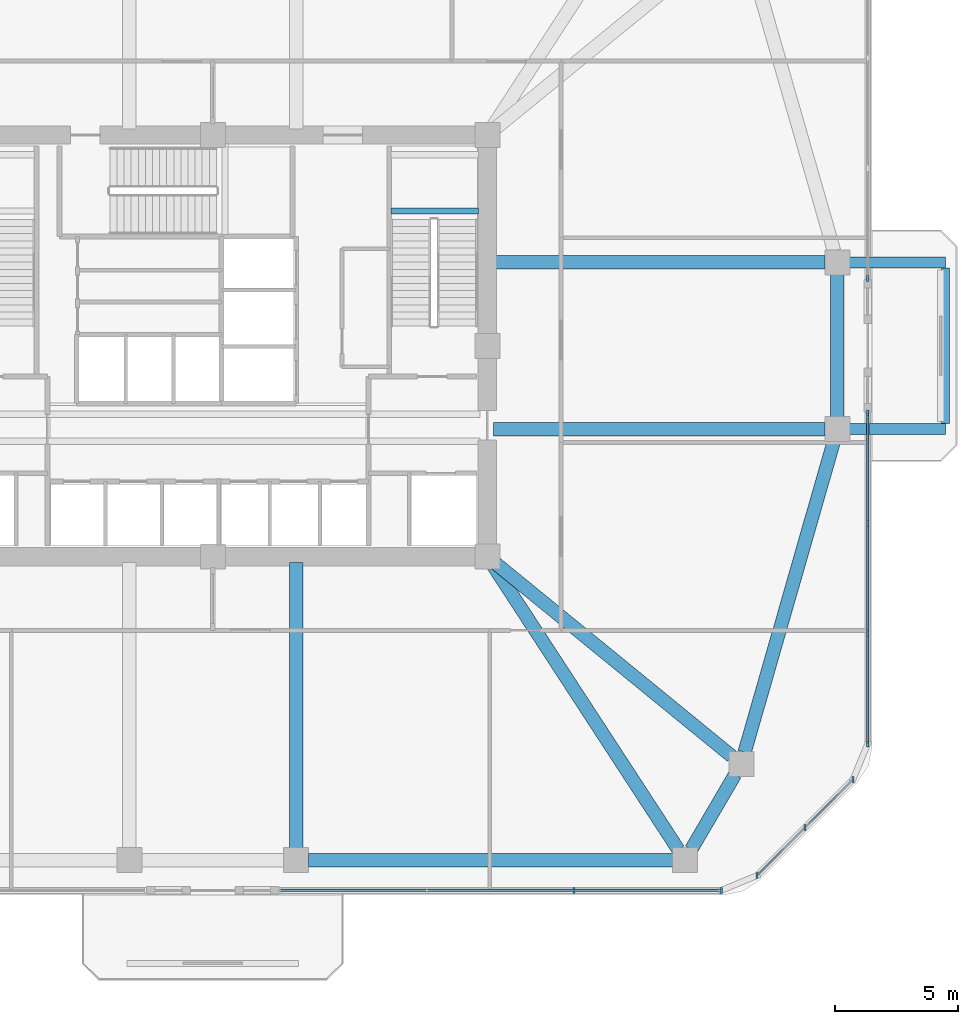
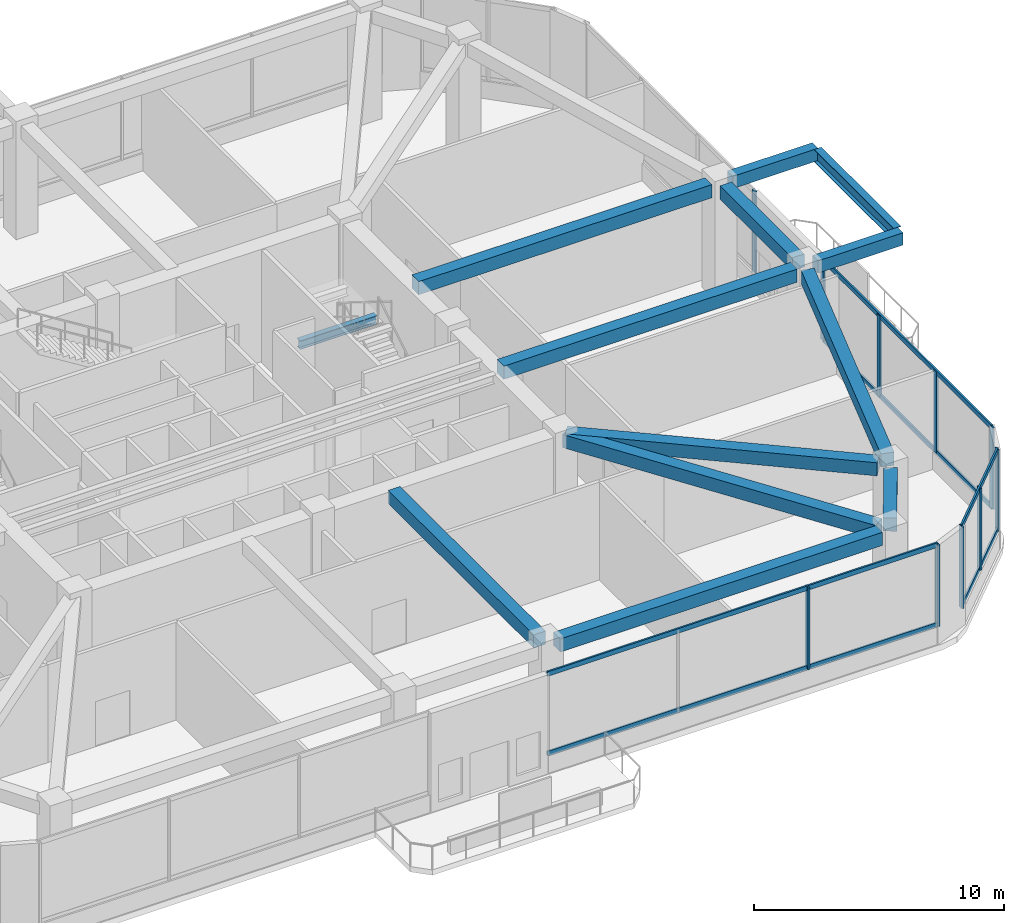
# One storey, part 3 of 13: 16 members, 13 beams, 4 elements without a shape of their own.
"""IFC4 building model written with IfcOpenShell, lengths in metres."""

from ifc_helpers import new_model, si_unit, derived_unit, direction, frame, origin, origin_2d, place, context, subcontext, project, spatial, rectangle, i_section, extrude, material, material_profile, profile_set, type_object, element, aggregate, save


model = new_model("IFC4")

# Units and contexts
model_context = context("Model", 3, precision=1e-05, world=origin(), true_north=direction((0.0, 1.0)))
body_context = subcontext(model_context, "Body", "Model", "MODEL_VIEW")
ifc_project = project(units=[si_unit("LENGTHUNIT", "METRE"), si_unit("AREAUNIT", "SQUARE_METRE"), si_unit("VOLUMEUNIT", "CUBIC_METRE"), si_unit("PLANEANGLEUNIT", "RADIAN"), si_unit("MASSUNIT", "GRAM", prefix="KILO"), derived_unit("THERMALTRANSMITTANCEUNIT", [(si_unit("POWERUNIT", "WATT"), 1), (si_unit("LENGTHUNIT", "METRE"), -2), (si_unit("THERMODYNAMICTEMPERATUREUNIT", "KELVIN"), -1)])], contexts=[model_context])

# Site, building, storey
site_placement = place(None, origin())
site = spatial("IfcSite", under=ifc_project, at=site_placement, CompositionType="ELEMENT")
building_placement = place(site_placement, origin())
building = spatial("IfcBuilding", under=site, at=building_placement, Name="Koralith Skygarden Medical Center", CompositionType="ELEMENT")
storey_placement = place(building_placement, frame((0.0, 0.0, 75.419921875)))
storey = spatial("IfcBuildingStorey", under=building, at=storey_placement, Name="L19", CompositionType="ELEMENT", Elevation=75.419921875)

# Curtain wall, members
ifc_material_1 = material(Name="Clear Laminated Glass", Category="glass")
curtain_wall_type = type_object("IfcCurtainWallType", Name="CW-7 Sky-Garden & Pool Conservatory Wall", PredefinedType="NOTDEFINED", material=ifc_material_1)
curtain_wall_1_placement = place(storey_placement, origin())
curtain_wall_1 = element("IfcCurtainWall", 1, at=curtain_wall_1_placement, inside=storey, type_object=curtain_wall_type, Name="Curtain Wall CW-L19-S-R", PredefinedType="NOTDEFINED")
ifc_material_2 = material(Name="Aluminium 6063-T6", Category="aluminium")
ifc_material_profile_1 = material_profile(ifc_material_2, rectangle(XDim=0.0859375, YDim=0.25, at=origin_2d()), Name="MUL86X250")
ifc_profile_set_1 = profile_set([ifc_material_profile_1], Name="Aluminium 6063-T6")
member_type_1 = type_object("IfcMemberType", Name="CW-7 Extruded Mullion 86x250", PredefinedType="MULLION", material=ifc_profile_set_1)
member_1_placement = place(storey_placement, frame((51.742919921875, 3.679931640625, 0.85009765625), z_axis=(0.0, 0.0, 1.0), x_axis=(1.0, 0.0, 0.0)))
member_1 = element("IfcMember", 2, at=member_1_placement, type_object=member_type_1, Name="CW-L19-S-R Mullion 3", PredefinedType="MULLION", context=body_context, shape_type="SweptSolid", body=[
    extrude(rectangle(XDim=0.0859375, YDim=0.25, at=origin_2d()), origin(), (0.0, 0.0, 1.0), 3.97998046875),
])
member_2_placement = place(storey_placement, frame((57.7451171875, 3.679931640625, 0.85009765625), z_axis=(0.0, 0.0, 1.0), x_axis=(1.0, 0.0, 0.0)))
member_2 = element("IfcMember", 3, at=member_2_placement, type_object=member_type_1, Name="CW-L19-S-R Mullion 4", PredefinedType="MULLION", context=body_context, shape_type="SweptSolid", body=[
    extrude(rectangle(XDim=0.0859375, YDim=0.25, at=origin_2d()), origin(), (0.0, 0.0, 1.0), 3.97998046875),
])

curtain_wall_2_placement = place(storey_placement, origin())
curtain_wall_2 = element("IfcCurtainWall", 4, at=curtain_wall_2_placement, inside=storey, type_object=curtain_wall_type, Name="Curtain Wall CW-L19-SE", PredefinedType="NOTDEFINED")
member_3_placement = place(storey_placement, frame((59.196044921875, 4.281005859375, 0.85009765625), z_axis=(0.0, 0.0, 1.0), x_axis=(1.0, 0.0, 0.0)))
member_3 = element("IfcMember", 5, at=member_3_placement, type_object=member_type_1, Name="CW-L19-SE Mullion 1", PredefinedType="MULLION", context=body_context, shape_type="SweptSolid", body=[
    extrude(rectangle(XDim=0.0859375, YDim=0.25, at=origin_2d()), origin(), (0.0, 0.0, 1.0), 3.97998046875),
])
member_4_placement = place(storey_placement, frame((61.156982421875, 6.241943359375, 0.85009765625), z_axis=(0.0, 0.0, 1.0), x_axis=(1.0, 0.0, 0.0)))
member_4 = element("IfcMember", 6, at=member_4_placement, type_object=member_type_1, Name="CW-L19-SE Mullion 2", PredefinedType="MULLION", context=body_context, shape_type="SweptSolid", body=[
    extrude(rectangle(XDim=0.0859375, YDim=0.25, at=origin_2d()), origin(), (0.0, 0.0, 1.0), 3.97998046875),
])
member_5_placement = place(storey_placement, frame((63.118896484375, 8.2041015625, 0.85009765625), z_axis=(0.0, 0.0, 1.0), x_axis=(1.0, 0.0, 0.0)))
member_5 = element("IfcMember", 7, at=member_5_placement, type_object=member_type_1, Name="CW-L19-SE Mullion 3", PredefinedType="MULLION", context=body_context, shape_type="SweptSolid", body=[
    extrude(rectangle(XDim=0.0859375, YDim=0.25, at=origin_2d()), origin(), (0.0, 0.0, 1.0), 3.97998046875),
])

curtain_wall_3_placement = place(storey_placement, origin())
curtain_wall_3 = element("IfcCurtainWall", 8, at=curtain_wall_3_placement, inside=storey, type_object=curtain_wall_type, Name="Curtain Wall CW-L19-E-L", PredefinedType="NOTDEFINED")
member_6_placement = place(storey_placement, frame((63.719970703125, 9.655029296875, 0.85009765625), z_axis=(0.0, 0.0, 1.0), x_axis=(1.0, 0.0, 0.0)))
member_6 = element("IfcMember", 9, at=member_6_placement, type_object=member_type_1, Name="CW-L19-E-L Mullion 1", PredefinedType="MULLION", context=body_context, shape_type="SweptSolid", body=[
    extrude(rectangle(XDim=0.0859375, YDim=0.25, at=origin_2d()), origin(), (0.0, 0.0, 1.0), 3.97998046875),
])
member_7_placement = place(storey_placement, frame((63.719970703125, 14.156005859375, 0.85009765625), z_axis=(0.0, 0.0, 1.0), x_axis=(1.0, 0.0, 0.0)))
member_7 = element("IfcMember", 10, at=member_7_placement, type_object=member_type_1, Name="CW-L19-E-L Mullion 2", PredefinedType="MULLION", context=body_context, shape_type="SweptSolid", body=[
    extrude(rectangle(XDim=0.0859375, YDim=0.25, at=origin_2d()), origin(), (0.0, 0.0, 1.0), 3.97998046875),
])
member_8_placement = place(storey_placement, frame((63.719970703125, 18.657958984375, 0.85009765625), z_axis=(0.0, 0.0, 1.0), x_axis=(1.0, 0.0, 0.0)))
member_8 = element("IfcMember", 11, at=member_8_placement, type_object=member_type_1, Name="CW-L19-E-L Mullion 3", PredefinedType="MULLION", context=body_context, shape_type="SweptSolid", body=[
    extrude(rectangle(XDim=0.0859375, YDim=0.25, at=origin_2d()), origin(), (0.0, 0.0, 1.0), 3.97998046875),
])
member_9_placement = place(storey_placement, frame((63.719970703125, 23.158935546875, 0.85009765625), z_axis=(0.0, 0.0, 1.0), x_axis=(1.0, 0.0, 0.0)))
member_9 = element("IfcMember", 12, at=member_9_placement, type_object=member_type_1, Name="CW-L19-E-L Mullion 4", PredefinedType="MULLION", context=body_context, shape_type="SweptSolid", body=[
    extrude(rectangle(XDim=0.0859375, YDim=0.25, at=origin_2d()), origin(), (0.0, 0.0, 1.0), 3.97998046875),
])

# Curtain wall, member
curtain_wall_4_placement = place(storey_placement, origin())
curtain_wall_4 = element("IfcCurtainWall", 13, at=curtain_wall_4_placement, inside=storey, type_object=curtain_wall_type, Name="Curtain Wall CW-L19-E-R", PredefinedType="NOTDEFINED")
member_10_placement = place(storey_placement, frame((63.719970703125, 28.638916015625, 0.85009765625), z_axis=(0.0, 0.0, 1.0), x_axis=(1.0, 0.0, 0.0)))
member_10 = element("IfcMember", 14, at=member_10_placement, type_object=member_type_1, Name="CW-L19-E-R Mullion 1", PredefinedType="MULLION", context=body_context, shape_type="SweptSolid", body=[
    extrude(rectangle(XDim=0.0859375, YDim=0.25, at=origin_2d()), origin(), (0.0, 0.0, 1.0), 3.97998046875),
])
aggregate(curtain_wall_4, [member_10])

# Member
ifc_material_profile_2 = material_profile(ifc_material_2, rectangle(XDim=0.0810546875, YDim=0.22509765625, at=origin_2d()), Name="TRN81X225")
ifc_profile_set_2 = profile_set([ifc_material_profile_2], Name="Aluminium 6063-T6")
member_type_2 = type_object("IfcMemberType", Name="CW-7 Thermal Transom 81x225", PredefinedType="USERDEFINED", material=ifc_profile_set_2)
member_11_placement = place(storey_placement, frame((39.739013671875, 3.679931640625, 0.900146484375), z_axis=(1.0, 0.0, 0.0), x_axis=(0.0, 1.0, 0.0)))
member_11 = element("IfcMember", 15, at=member_11_placement, type_object=member_type_2, Name="CW-L19-S-R Transom 1", ObjectType="TRANSOM", PredefinedType="USERDEFINED", context=body_context, shape_type="SweptSolid", body=[
    extrude(rectangle(XDim=0.0810546875, YDim=0.22509765625, at=origin_2d()), origin(), (0.0, 0.0, 1.0), 18.006103515625),
])

member_12_placement = place(storey_placement, frame((39.739013671875, 3.679931640625, 4.780029296875), z_axis=(1.0, 0.0, 0.0), x_axis=(0.0, 1.0, 0.0)))
member_12 = element("IfcMember", 16, at=member_12_placement, type_object=member_type_2, Name="CW-L19-S-R Transom 2", ObjectType="TRANSOM", PredefinedType="USERDEFINED", context=body_context, shape_type="SweptSolid", body=[
    extrude(rectangle(XDim=0.0810546875, YDim=0.22509765625, at=origin_2d()), origin(), (0.0, 0.0, 1.0), 18.006103515625),
])

aggregate(curtain_wall_1, [member_1, member_2, member_11, member_12])

member_13_placement = place(storey_placement, frame((59.196044921875, 4.281005859375, 0.900146484375), z_axis=(0.707084777957, 0.707128783731, 0.0), x_axis=(-0.707128783731, 0.707084777957, 0.0)))
member_13 = element("IfcMember", 17, at=member_13_placement, type_object=member_type_2, Name="CW-L19-SE Transom 1", ObjectType="TRANSOM", PredefinedType="USERDEFINED", context=body_context, shape_type="SweptSolid", body=[
    extrude(rectangle(XDim=0.0810546875, YDim=0.22509765625, at=origin_2d()), origin(), (0.0, 0.0, 1.0), 5.5478515625),
])

member_14_placement = place(storey_placement, frame((59.196044921875, 4.281005859375, 4.780029296875), z_axis=(0.707084777957, 0.707128783731, 0.0), x_axis=(-0.707128783731, 0.707084777957, 0.0)))
member_14 = element("IfcMember", 18, at=member_14_placement, type_object=member_type_2, Name="CW-L19-SE Transom 2", ObjectType="TRANSOM", PredefinedType="USERDEFINED", context=body_context, shape_type="SweptSolid", body=[
    extrude(rectangle(XDim=0.0810546875, YDim=0.22509765625, at=origin_2d()), origin(), (0.0, 0.0, 1.0), 5.5478515625),
])

aggregate(curtain_wall_2, [member_3, member_4, member_5, member_13, member_14])

member_15_placement = place(storey_placement, frame((63.719970703125, 9.655029296875, 0.900146484375), z_axis=(0.0, 1.0, 0.0), x_axis=(-1.0, 0.0, 0.0)))
member_15 = element("IfcMember", 19, at=member_15_placement, type_object=member_type_2, Name="CW-L19-E-L Transom 1", ObjectType="TRANSOM", PredefinedType="USERDEFINED", context=body_context, shape_type="SweptSolid", body=[
    extrude(rectangle(XDim=0.0810546875, YDim=0.22509765625, at=origin_2d()), origin(), (0.0, 0.0, 1.0), 13.50390625),
])

member_16_placement = place(storey_placement, frame((63.719970703125, 9.655029296875, 4.780029296875), z_axis=(0.0, 1.0, 0.0), x_axis=(-1.0, 0.0, 0.0)))
member_16 = element("IfcMember", 20, at=member_16_placement, type_object=member_type_2, Name="CW-L19-E-L Transom 2", ObjectType="TRANSOM", PredefinedType="USERDEFINED", context=body_context, shape_type="SweptSolid", body=[
    extrude(rectangle(XDim=0.0810546875, YDim=0.22509765625, at=origin_2d()), origin(), (0.0, 0.0, 1.0), 13.50390625),
])

aggregate(curtain_wall_3, [member_6, member_7, member_8, member_9, member_15, member_16])

# Beams
ifc_material_3 = material(Name="Steel ASTM A992 Grade 50", Category="steel")
ifc_material_profile_3 = material_profile(ifc_material_3, i_section(OverallWidth=0.326904296875, OverallDepth=0.6220703125, WebThickness=0.015380859375, FlangeThickness=0.0244140625, at=origin_2d()), Name="W24X131")
ifc_profile_set_3 = profile_set([ifc_material_profile_3], Name="Steel ASTM A992 Grade 50")
beam_type_1 = type_object("IfcBeamType", Name="Cantilever Tie Beam W24X131", PredefinedType="BEAM", material=ifc_profile_set_3)
beam_1_placement = place(storey_placement, frame((66.889892578125, 22.719970703125, 5.18896484375), z_axis=(0.0, 1.0, 0.0), x_axis=(-1.0, 0.0, 0.0)))
element("IfcBeam", 21, at=beam_1_placement, inside=storey, type_object=beam_type_1, Name="L20 E Balcony Tip Tie Beam", PredefinedType="BEAM", context=body_context, shape_type="SweptSolid", body=[
    extrude(i_section(OverallWidth=0.326904296875, OverallDepth=0.6220703125, WebThickness=0.015380859375, FlangeThickness=0.0244140625, at=origin_2d()), origin(), (0.0, 0.0, 1.0), 6.360107421875),
])
ifc_material_profile_4 = material_profile(ifc_material_3, i_section(OverallWidth=0.260009765625, OverallDepth=0.4150390625, WebThickness=0.010009765625, FlangeThickness=0.016845703125, at=origin_2d()), Name="W16X67")
ifc_profile_set_4 = profile_set([ifc_material_profile_4], Name="Steel ASTM A992 Grade 50")
beam_type_2 = type_object("IfcBeamType", Name="Clinical Floor Joist W16X67", PredefinedType="JOIST", material=ifc_profile_set_4)
beam_2_placement = place(storey_placement, frame((44.280029296875, 31.39990234375, 2.47216796875), z_axis=(1.0, 0.0, 0.0), x_axis=(0.0, 1.0, 0.0)))
element("IfcBeam", 22, at=beam_2_placement, inside=storey, type_object=beam_type_2, Name="L19 Stair ST2 Half-Landing Support Beam 1A", PredefinedType="JOIST", context=body_context, shape_type="SweptSolid", body=[
    extrude(i_section(OverallWidth=0.260009765625, OverallDepth=0.4150390625, WebThickness=0.010009765625, FlangeThickness=0.016845703125, at=origin_2d()), origin(), (0.0, 0.0, 1.0), 3.56494140625),
])
ifc_material_4 = material(Name="Concrete C45/55", Category="concrete")
ifc_material_profile_5 = material_profile(ifc_material_4, rectangle(XDim=0.449951171875, YDim=0.60009765625, at=origin_2d()), Name="RCB450X600")
ifc_profile_set_5 = profile_set([ifc_material_profile_5], Name="Concrete C45/55")
beam_type_3 = type_object("IfcBeamType", Name="Planted Balcony Cantilever Beam RCB450X600", PredefinedType="BEAM", material=ifc_profile_set_5)
for number, where, z_axis, x_axis, name in (
    (23, (62.969970703125, 22.5, 5.2001953125), (1.0, 0.0, 0.0), (0.0, 1.0, 0.0), "L20 E Balcony Cantilever Beam A"),
    (24, (62.969970703125, 29.300048828125, 5.2001953125), (1.0, 0.0, 0.0), (0.0, 1.0, 0.0), "L20 E Balcony Cantilever Beam B"),
):
    element("IfcBeam", number, at=place(storey_placement, frame(where, z_axis=z_axis, x_axis=x_axis)), inside=storey, type_object=beam_type_3, Name=name, PredefinedType="BEAM", context=body_context, shape_type="SweptSolid", body=[
        extrude(rectangle(XDim=0.449951171875, YDim=0.60009765625, at=origin_2d()), origin(), (0.0, 0.0, 1.0), 3.919921875),
    ])
ifc_material_profile_6 = material_profile(ifc_material_4, rectangle(XDim=0.550048828125, YDim=0.639892578125, at=origin_2d()), Name="RCB550X640")
ifc_profile_set_6 = profile_set([ifc_material_profile_6], Name="Concrete C45/55")
beam_type_4 = type_object("IfcBeamType", Name="Radial Collector Beam RCB550X640", PredefinedType="BEAM", material=ifc_profile_set_6)
beam_3_placement = place(storey_placement, frame((40.39990234375, 17.050048828125, 5.16015625), z_axis=(0.0, -1.0, 0.0), x_axis=(1.0, 0.0, 0.0)))
element("IfcBeam", 25, at=beam_3_placement, inside=storey, type_object=beam_type_4, Name="L19 Radial Collector Beam RB-05", PredefinedType="BEAM", context=body_context, shape_type="SweptSolid", body=[
    extrude(rectangle(XDim=0.550048828125, YDim=0.639892578125, at=origin_2d()), origin(), (0.0, 0.0, 1.0), 11.630126953125),
])
beam_4_placement = place(storey_placement, frame((48.3359375, 17.091064453125, 5.16015625), z_axis=(0.546010797592, -0.83777813824, 0.0), x_axis=(0.83777813824, 0.546010797592, 0.0)))
element("IfcBeam", 26, at=beam_4_placement, inside=storey, type_object=beam_type_4, Name="L19 Radial Collector Beam RB-06", PredefinedType="BEAM", context=body_context, shape_type="SweptSolid", body=[
    extrude(rectangle(XDim=0.550048828125, YDim=0.639892578125, at=origin_2d()), origin(), (0.0, 0.0, 1.0), 14.027587890625),
])
beam_5_placement = place(storey_placement, frame((48.39404296875, 17.14208984375, 5.16015625), z_axis=(0.774537653753, -0.632527804067, 0.0), x_axis=(0.632527804067, 0.774537653753, 0.0)))
element("IfcBeam", 27, at=beam_5_placement, inside=storey, type_object=beam_type_4, Name="L19 Radial Collector Beam RB-07", PredefinedType="BEAM", context=body_context, shape_type="SweptSolid", body=[
    extrude(rectangle(XDim=0.550048828125, YDim=0.639892578125, at=origin_2d()), origin(), (0.0, 0.0, 1.0), 12.625732421875),
])
for number, where, z_axis, x_axis, name in (
    (28, (48.449951171875, 22.5, 5.16015625), (1.0, 0.0, 0.0), (0.0, 1.0, 0.0), "L19 Radial Collector Beam RB-08"),
    (29, (48.449951171875, 29.300048828125, 5.16015625), (1.0, 0.0, 0.0), (0.0, 1.0, 0.0), "L19 Radial Collector Beam RB-09"),
):
    element("IfcBeam", number, at=place(storey_placement, frame(where, z_axis=z_axis, x_axis=x_axis)), inside=storey, type_object=beam_type_4, Name=name, PredefinedType="BEAM", context=body_context, shape_type="SweptSolid", body=[
        extrude(rectangle(XDim=0.550048828125, YDim=0.639892578125, at=origin_2d()), origin(), (0.0, 0.0, 1.0), 13.530029296875),
    ])
ifc_material_profile_7 = material_profile(ifc_material_4, rectangle(XDim=0.550048828125, YDim=0.639892578125, at=origin_2d()), Name="RCB550X640")
ifc_profile_set_7 = profile_set([ifc_material_profile_7], Name="Concrete C45/55")
beam_type_5 = type_object("IfcBeamType", Name="Zone 2-3 Spandrel Beam RCB550X640", PredefinedType="SPANDREL", material=ifc_profile_set_7)
beam_6_placement = place(storey_placement, frame((40.89990234375, 4.919921875, 5.16015625), z_axis=(1.0, 0.0, 0.0), x_axis=(0.0, 1.0, 0.0)))
element("IfcBeam", 30, at=beam_6_placement, inside=storey, type_object=beam_type_5, Name="L19 Perimeter Spandrel Beam SP-05", PredefinedType="SPANDREL", context=body_context, shape_type="SweptSolid", body=[
    extrude(rectangle(XDim=0.550048828125, YDim=0.639892578125, at=origin_2d()), origin(), (0.0, 0.0, 1.0), 14.8681640625),
])
beam_7_placement = place(storey_placement, frame((56.52001953125, 5.35205078125, 5.16015625), z_axis=(0.50502386975, 0.863105376523, 0.0), x_axis=(-0.863105376523, 0.50502386975, 0.0)))
element("IfcBeam", 31, at=beam_7_placement, inside=storey, type_object=beam_type_5, Name="L19 Perimeter Spandrel Beam SP-06", PredefinedType="SPANDREL", context=body_context, shape_type="SweptSolid", body=[
    extrude(rectangle(XDim=0.550048828125, YDim=0.639892578125, at=origin_2d()), origin(), (0.0, 0.0, 1.0), 3.54052734375),
])
beam_8_placement = place(storey_placement, frame((58.697998046875, 9.321044921875, 5.16015625), z_axis=(0.275843733572, 0.961202494092, 0.0), x_axis=(-0.961202494092, 0.275843733572, 0.0)))
element("IfcBeam", 32, at=beam_8_placement, inside=storey, type_object=beam_type_5, Name="L19 Perimeter Spandrel Beam SP-07", PredefinedType="SPANDREL", context=body_context, shape_type="SweptSolid", body=[
    extrude(rectangle(XDim=0.550048828125, YDim=0.639892578125, at=origin_2d()), origin(), (0.0, 0.0, 1.0), 13.21044921875),
])
beam_9_placement = place(storey_placement, frame((62.47998046875, 23.0, 5.16015625), z_axis=(0.0, 1.0, 0.0), x_axis=(-1.0, 0.0, 0.0)))
element("IfcBeam", 33, at=beam_9_placement, inside=storey, type_object=beam_type_5, Name="L19 Perimeter Spandrel Beam SP-08", PredefinedType="SPANDREL", context=body_context, shape_type="SweptSolid", body=[
    extrude(rectangle(XDim=0.550048828125, YDim=0.639892578125, at=origin_2d()), origin(), (0.0, 0.0, 1.0), 5.800048828125),
])

save(model, "model.ifc")
